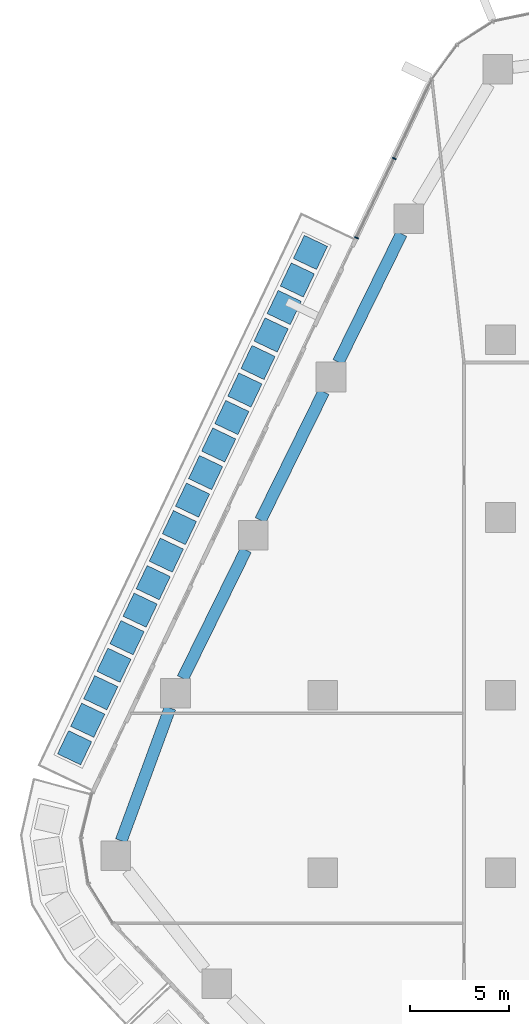
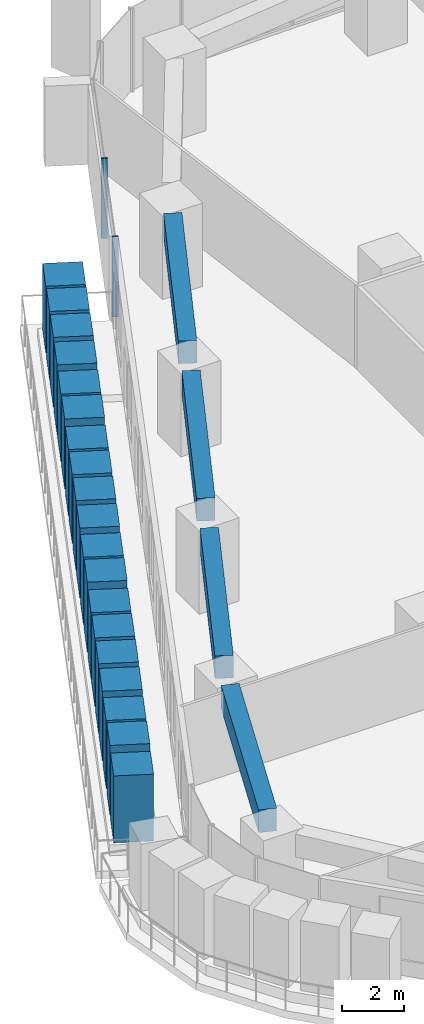
# One storey, part 5 of 24: 21 members, 4 beams, 1 element without a shape of its own.
"""IFC4 building model written with IfcOpenShell, lengths in metres."""

from ifc_helpers import new_model, si_unit, direction, frame, origin, origin_2d, place, context, subcontext, project, spatial, rectangle, extrude, material, layer, layer_set, material_profile, profile_set, type_object, element, aggregate, save


model = new_model("IFC4")

# Units and contexts
model_context = context("Model", 3, precision=1e-05, world=origin(), true_north=direction((0.0, 1.0)))
body_context = subcontext(model_context, "Body", "Model", "MODEL_VIEW")
ifc_project = project(units=[si_unit("LENGTHUNIT", "METRE"), si_unit("AREAUNIT", "SQUARE_METRE"), si_unit("VOLUMEUNIT", "CUBIC_METRE"), si_unit("PLANEANGLEUNIT", "RADIAN"), si_unit("MASSUNIT", "GRAM", prefix="KILO")], contexts=[model_context])

# Site, building, storey
site_placement = place(None, origin())
site = spatial("IfcSite", under=ifc_project, at=site_placement, CompositionType="ELEMENT")
building_placement = place(site_placement, origin())
building = spatial("IfcBuilding", under=site, at=building_placement, Name="Dongbaek Canopy Tower", CompositionType="ELEMENT")
storey_placement = place(building_placement, frame((0.0, 0.0, 44.0)))
storey = spatial("IfcBuildingStorey", under=building, at=storey_placement, Name="L06", CompositionType="ELEMENT", Elevation=44.0)

# Curtain wall, members
ifc_material_1 = material(Name="Aluminium 6063-T6 pale anodised", Category="aluminium")
ifc_layer = layer(ifc_material_1, 0.199951171875)
ifc_layer_set = layer_set([ifc_layer], Name="CW-1 unitised tower curtain wall")
curtain_wall_type = type_object("IfcCurtainWallType", Name="CW-1 unitised tower curtain wall", PredefinedType="NOTDEFINED", material=ifc_layer_set)
curtain_wall_placement = place(storey_placement, origin())
curtain_wall = element("IfcCurtainWall", 1, at=curtain_wall_placement, inside=storey, type_object=curtain_wall_type, Name="CW-1 curtain wall F2.1", PredefinedType="NOTDEFINED")
ifc_material_2 = material(Name="Aluminium 6063-T6 pale anodised", Category="aluminium")
ifc_material_profile_1 = material_profile(ifc_material_2, rectangle(XDim=0.199951171875, YDim=0.06005859375, at=origin_2d()), Name="CW-1 mullion 60 x 200")
ifc_profile_set_1 = profile_set([ifc_material_profile_1], Name="Aluminium 6063-T6 pale anodised")
member_type_1 = type_object("IfcMemberType", Name="CW-1 mullion 60 x 200", PredefinedType="MULLION", material=ifc_profile_set_1)
member_1_placement = place(storey_placement, frame((-23.38330078125, 27.18359375, 0.1201171875), z_axis=(0.0, 0.0, 1.0), x_axis=(-0.902928815129, 0.429790128796, 0.0)))
member_1 = element("IfcMember", 2, at=member_1_placement, type_object=member_type_1, Name="CW-1 mullion F2.1.2", PredefinedType="MULLION", context=body_context, shape_type="SweptSolid", body=[
    extrude(rectangle(XDim=0.199951171875, YDim=0.06005859375, at=origin_2d()), origin(), (0.0, 0.0, 1.0), 3.179931640625),
])
member_2_placement = place(storey_placement, frame((-25.294677734375, 23.16796875, 0.1201171875), z_axis=(0.0, 0.0, 1.0), x_axis=(-0.902928815129, 0.429790128796, 0.0)))
member_2 = element("IfcMember", 3, at=member_2_placement, type_object=member_type_1, Name="CW-1 mullion F2.1.3", PredefinedType="MULLION", context=body_context, shape_type="SweptSolid", body=[
    extrude(rectangle(XDim=0.199951171875, YDim=0.06005859375, at=origin_2d()), origin(), (0.0, 0.0, 1.0), 3.179931640625),
])
aggregate(curtain_wall, [member_1, member_2])

# Beams
ifc_material_3 = material(Name="Concrete C80", Category="concrete")
ifc_material_profile_2 = material_profile(ifc_material_3, rectangle(XDim=0.60009765625, YDim=0.89990234375, at=origin_2d()), Name="RC EDGE BEAM 600x900 C80")
ifc_profile_set_2 = profile_set([ifc_material_profile_2], Name="Concrete C80")
beam_type = type_object("IfcBeamType", Name="RC EDGE BEAM 600x900 C80", PredefinedType="BEAM", material=ifc_profile_set_2)
beam_1_placement = place(storey_placement, frame((-37.213134765625, -7.373046875, 2.85009765625), z_axis=(0.345225397682, 0.938519805223, 0.0), x_axis=(-0.938519805223, 0.345225397682, 0.0)))
element("IfcBeam", 4, at=beam_1_placement, inside=storey, type_object=beam_type, Name="EDGEBEAM:L06:08", PredefinedType="BEAM", context=body_context, shape_type="SweptSolid", body=[
    extrude(rectangle(XDim=0.60009765625, YDim=0.89990234375, at=origin_2d()), origin(), (0.0, 0.0, 1.0), 7.166748046875),
])
beam_2_placement = place(storey_placement, frame((-34.09423828125, 0.85302734375, 2.85009765625), z_axis=(0.441292548313, 0.897363297, 0.0), x_axis=(-0.897363297, 0.441292548313, 0.0)))
element("IfcBeam", 5, at=beam_2_placement, inside=storey, type_object=beam_type, Name="EDGEBEAM:L06:09", PredefinedType="BEAM", context=body_context, shape_type="SweptSolid", body=[
    extrude(rectangle(XDim=0.60009765625, YDim=0.89990234375, at=origin_2d()), origin(), (0.0, 0.0, 1.0), 7.25244140625),
])
for number, where, z_axis, x_axis, name in (
    (6, (-30.156005859375, 8.861083984375, 2.85009765625), (0.441413427837, 0.897303842477, 0.0), (-0.897303842477, 0.441413427837, 0.0), "EDGEBEAM:L06:10"),
    (7, (-26.217041015625, 16.867919921875, 2.85009765625), (0.441318766596, 0.897350403271, 0.0), (-0.897350403271, 0.441318766596, 0.0), "EDGEBEAM:L06:11"),
):
    element("IfcBeam", number, at=place(storey_placement, frame(where, z_axis=z_axis, x_axis=x_axis)), inside=storey, type_object=beam_type, Name=name, PredefinedType="BEAM", context=body_context, shape_type="SweptSolid", body=[
        extrude(rectangle(XDim=0.60009765625, YDim=0.89990234375, at=origin_2d()), origin(), (0.0, 0.0, 1.0), 7.25146484375),
    ])

# Members
ifc_material_4 = material(Name="Concrete C40/50 planter mass with planting", Category="concrete")
ifc_material_profile_3 = material_profile(ifc_material_4, rectangle(XDim=1.300048828125, YDim=1.300048828125, at=origin_2d()), Name="Terrace PLANTER shrub mass 1300 x 1300")
ifc_profile_set_3 = profile_set([ifc_material_profile_3], Name="Concrete C40/50 planter mass with planting")
member_type_2 = type_object("IfcMemberType", Name="Terrace PLANTER shrub mass 1300 x 1300", PredefinedType="USERDEFINED", material=ifc_profile_set_3)
member_3_placement = place(storey_placement, frame((-27.62939453125, 22.427734375, 0.419921875), z_axis=(0.0, 0.0, 1.0), x_axis=(-0.902928815129, 0.429790128796, 0.0)))
element("IfcMember", 8, at=member_3_placement, inside=storey, type_object=member_type_2, Name="Planter shrubs L06 2.1", ObjectType="PLANTER", PredefinedType="USERDEFINED", context=body_context, shape_type="SweptSolid", body=[
    extrude(rectangle(XDim=1.300048828125, YDim=1.300048828125, at=origin_2d()), origin(), (0.0, 0.0, 1.0), 2.650146484375),
])
member_4_placement = place(storey_placement, frame((-28.29296875, 21.033935546875, 0.419921875), z_axis=(0.0, 0.0, 1.0), x_axis=(-0.902928815129, 0.429790128796, 0.0)))
element("IfcMember", 9, at=member_4_placement, inside=storey, type_object=member_type_2, Name="Planter shrubs L06 2.2", ObjectType="PLANTER", PredefinedType="USERDEFINED", context=body_context, shape_type="SweptSolid", body=[
    extrude(rectangle(XDim=1.300048828125, YDim=1.300048828125, at=origin_2d()), origin(), (0.0, 0.0, 1.0), 2.72998046875),
])
member_5_placement = place(storey_placement, frame((-28.956298828125, 19.64013671875, 0.419921875), z_axis=(0.0, 0.0, 1.0), x_axis=(-0.902928815129, 0.429790128796, 0.0)))
element("IfcMember", 10, at=member_5_placement, inside=storey, type_object=member_type_2, Name="Planter shrubs L06 2.3", ObjectType="PLANTER", PredefinedType="USERDEFINED", context=body_context, shape_type="SweptSolid", body=[
    extrude(rectangle(XDim=1.300048828125, YDim=1.300048828125, at=origin_2d()), origin(), (0.0, 0.0, 1.0), 2.780029296875),
])
member_6_placement = place(storey_placement, frame((-29.619873046875, 18.246337890625, 0.419921875), z_axis=(0.0, 0.0, 1.0), x_axis=(-0.902928815129, 0.429790128796, 0.0)))
element("IfcMember", 11, at=member_6_placement, inside=storey, type_object=member_type_2, Name="Planter shrubs L06 2.4", ObjectType="PLANTER", PredefinedType="USERDEFINED", context=body_context, shape_type="SweptSolid", body=[
    extrude(rectangle(XDim=1.300048828125, YDim=1.300048828125, at=origin_2d()), origin(), (0.0, 0.0, 1.0), 2.77001953125),
])
member_7_placement = place(storey_placement, frame((-30.283203125, 16.8525390625, 0.419921875), z_axis=(0.0, 0.0, 1.0), x_axis=(-0.902928815129, 0.429790128796, 0.0)))
element("IfcMember", 12, at=member_7_placement, inside=storey, type_object=member_type_2, Name="Planter shrubs L06 2.5", ObjectType="PLANTER", PredefinedType="USERDEFINED", context=body_context, shape_type="SweptSolid", body=[
    extrude(rectangle(XDim=1.300048828125, YDim=1.300048828125, at=origin_2d()), origin(), (0.0, 0.0, 1.0), 2.690185546875),
])
member_8_placement = place(storey_placement, frame((-30.94677734375, 15.458740234375, 0.419921875), z_axis=(0.0, 0.0, 1.0), x_axis=(-0.902928815129, 0.429790128796, 0.0)))
element("IfcMember", 13, at=member_8_placement, inside=storey, type_object=member_type_2, Name="Planter shrubs L06 2.6", ObjectType="PLANTER", PredefinedType="USERDEFINED", context=body_context, shape_type="SweptSolid", body=[
    extrude(rectangle(XDim=1.300048828125, YDim=1.300048828125, at=origin_2d()), origin(), (0.0, 0.0, 1.0), 2.780029296875),
])
member_9_placement = place(storey_placement, frame((-31.610107421875, 14.06494140625, 0.419921875), z_axis=(0.0, 0.0, 1.0), x_axis=(-0.902928815129, 0.429790128796, 0.0)))
element("IfcMember", 14, at=member_9_placement, inside=storey, type_object=member_type_2, Name="Planter shrubs L06 2.7", ObjectType="PLANTER", PredefinedType="USERDEFINED", context=body_context, shape_type="SweptSolid", body=[
    extrude(rectangle(XDim=1.300048828125, YDim=1.300048828125, at=origin_2d()), origin(), (0.0, 0.0, 1.0), 2.650146484375),
])
member_10_placement = place(storey_placement, frame((-32.273681640625, 12.6708984375, 0.419921875), z_axis=(0.0, 0.0, 1.0), x_axis=(-0.902928815129, 0.429790128796, 0.0)))
element("IfcMember", 15, at=member_10_placement, inside=storey, type_object=member_type_2, Name="Planter shrubs L06 2.8", ObjectType="PLANTER", PredefinedType="USERDEFINED", context=body_context, shape_type="SweptSolid", body=[
    extrude(rectangle(XDim=1.300048828125, YDim=1.300048828125, at=origin_2d()), origin(), (0.0, 0.0, 1.0), 2.72998046875),
])
member_11_placement = place(storey_placement, frame((-32.937255859375, 11.277099609375, 0.419921875), z_axis=(0.0, 0.0, 1.0), x_axis=(-0.902928815129, 0.429790128796, 0.0)))
element("IfcMember", 16, at=member_11_placement, inside=storey, type_object=member_type_2, Name="Planter shrubs L06 2.9", ObjectType="PLANTER", PredefinedType="USERDEFINED", context=body_context, shape_type="SweptSolid", body=[
    extrude(rectangle(XDim=1.300048828125, YDim=1.300048828125, at=origin_2d()), origin(), (0.0, 0.0, 1.0), 2.780029296875),
])
member_12_placement = place(storey_placement, frame((-33.6005859375, 9.88330078125, 0.419921875), z_axis=(0.0, 0.0, 1.0), x_axis=(-0.902928815129, 0.429790128796, 0.0)))
element("IfcMember", 17, at=member_12_placement, inside=storey, type_object=member_type_2, Name="Planter shrubs L06 2.10", ObjectType="PLANTER", PredefinedType="USERDEFINED", context=body_context, shape_type="SweptSolid", body=[
    extrude(rectangle(XDim=1.300048828125, YDim=1.300048828125, at=origin_2d()), origin(), (0.0, 0.0, 1.0), 2.77001953125),
])
member_13_placement = place(storey_placement, frame((-34.26416015625, 8.489501953125, 0.419921875), z_axis=(0.0, 0.0, 1.0), x_axis=(-0.902928815129, 0.429790128796, 0.0)))
element("IfcMember", 18, at=member_13_placement, inside=storey, type_object=member_type_2, Name="Planter shrubs L06 2.11", ObjectType="PLANTER", PredefinedType="USERDEFINED", context=body_context, shape_type="SweptSolid", body=[
    extrude(rectangle(XDim=1.300048828125, YDim=1.300048828125, at=origin_2d()), origin(), (0.0, 0.0, 1.0), 2.690185546875),
])
member_14_placement = place(storey_placement, frame((-34.927490234375, 7.095703125, 0.419921875), z_axis=(0.0, 0.0, 1.0), x_axis=(-0.902928815129, 0.429790128796, 0.0)))
element("IfcMember", 19, at=member_14_placement, inside=storey, type_object=member_type_2, Name="Planter shrubs L06 2.12", ObjectType="PLANTER", PredefinedType="USERDEFINED", context=body_context, shape_type="SweptSolid", body=[
    extrude(rectangle(XDim=1.300048828125, YDim=1.300048828125, at=origin_2d()), origin(), (0.0, 0.0, 1.0), 2.780029296875),
])
member_15_placement = place(storey_placement, frame((-35.591064453125, 5.701904296875, 0.419921875), z_axis=(0.0, 0.0, 1.0), x_axis=(-0.902928815129, 0.429790128796, 0.0)))
element("IfcMember", 20, at=member_15_placement, inside=storey, type_object=member_type_2, Name="Planter shrubs L06 2.13", ObjectType="PLANTER", PredefinedType="USERDEFINED", context=body_context, shape_type="SweptSolid", body=[
    extrude(rectangle(XDim=1.300048828125, YDim=1.300048828125, at=origin_2d()), origin(), (0.0, 0.0, 1.0), 2.650146484375),
])
member_16_placement = place(storey_placement, frame((-36.25439453125, 4.307861328125, 0.419921875), z_axis=(0.0, 0.0, 1.0), x_axis=(-0.902928815129, 0.429790128796, 0.0)))
element("IfcMember", 21, at=member_16_placement, inside=storey, type_object=member_type_2, Name="Planter shrubs L06 2.14", ObjectType="PLANTER", PredefinedType="USERDEFINED", context=body_context, shape_type="SweptSolid", body=[
    extrude(rectangle(XDim=1.300048828125, YDim=1.300048828125, at=origin_2d()), origin(), (0.0, 0.0, 1.0), 2.72998046875),
])
member_17_placement = place(storey_placement, frame((-36.91796875, 2.9140625, 0.419921875), z_axis=(0.0, 0.0, 1.0), x_axis=(-0.902928815129, 0.429790128796, 0.0)))
element("IfcMember", 22, at=member_17_placement, inside=storey, type_object=member_type_2, Name="Planter shrubs L06 2.15", ObjectType="PLANTER", PredefinedType="USERDEFINED", context=body_context, shape_type="SweptSolid", body=[
    extrude(rectangle(XDim=1.300048828125, YDim=1.300048828125, at=origin_2d()), origin(), (0.0, 0.0, 1.0), 2.780029296875),
])
member_18_placement = place(storey_placement, frame((-37.581298828125, 1.520263671875, 0.419921875), z_axis=(0.0, 0.0, 1.0), x_axis=(-0.902928815129, 0.429790128796, 0.0)))
element("IfcMember", 23, at=member_18_placement, inside=storey, type_object=member_type_2, Name="Planter shrubs L06 2.16", ObjectType="PLANTER", PredefinedType="USERDEFINED", context=body_context, shape_type="SweptSolid", body=[
    extrude(rectangle(XDim=1.300048828125, YDim=1.300048828125, at=origin_2d()), origin(), (0.0, 0.0, 1.0), 2.77001953125),
])
member_19_placement = place(storey_placement, frame((-38.244873046875, 0.12646484375, 0.419921875), z_axis=(0.0, 0.0, 1.0), x_axis=(-0.902928815129, 0.429790128796, 0.0)))
element("IfcMember", 24, at=member_19_placement, inside=storey, type_object=member_type_2, Name="Planter shrubs L06 2.17", ObjectType="PLANTER", PredefinedType="USERDEFINED", context=body_context, shape_type="SweptSolid", body=[
    extrude(rectangle(XDim=1.300048828125, YDim=1.300048828125, at=origin_2d()), origin(), (0.0, 0.0, 1.0), 2.690185546875),
])
member_20_placement = place(storey_placement, frame((-38.908203125, -1.267333984375, 0.419921875), z_axis=(0.0, 0.0, 1.0), x_axis=(-0.902928815129, 0.429790128796, 0.0)))
element("IfcMember", 25, at=member_20_placement, inside=storey, type_object=member_type_2, Name="Planter shrubs L06 2.18", ObjectType="PLANTER", PredefinedType="USERDEFINED", context=body_context, shape_type="SweptSolid", body=[
    extrude(rectangle(XDim=1.300048828125, YDim=1.300048828125, at=origin_2d()), origin(), (0.0, 0.0, 1.0), 2.780029296875),
])
member_21_placement = place(storey_placement, frame((-39.57177734375, -2.6611328125, 0.419921875), z_axis=(0.0, 0.0, 1.0), x_axis=(-0.902928815129, 0.429790128796, 0.0)))
element("IfcMember", 26, at=member_21_placement, inside=storey, type_object=member_type_2, Name="Planter shrubs L06 2.19", ObjectType="PLANTER", PredefinedType="USERDEFINED", context=body_context, shape_type="SweptSolid", body=[
    extrude(rectangle(XDim=1.300048828125, YDim=1.300048828125, at=origin_2d()), origin(), (0.0, 0.0, 1.0), 2.650146484375),
])

save(model, "model.ifc")
